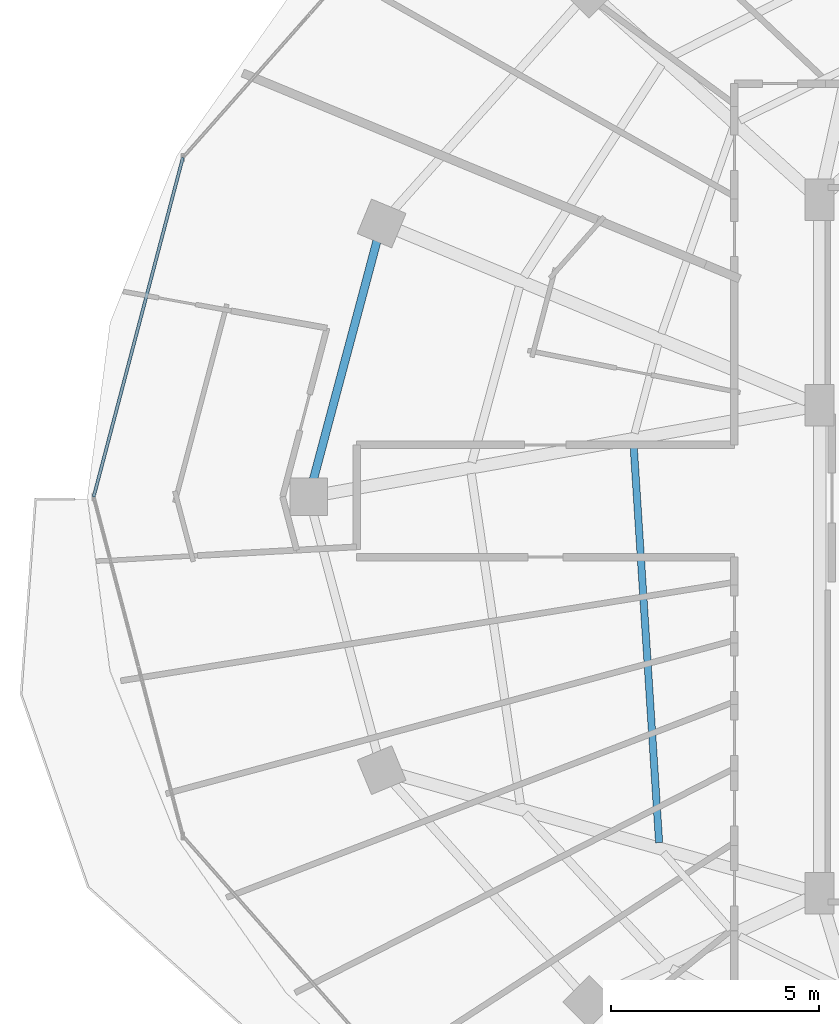
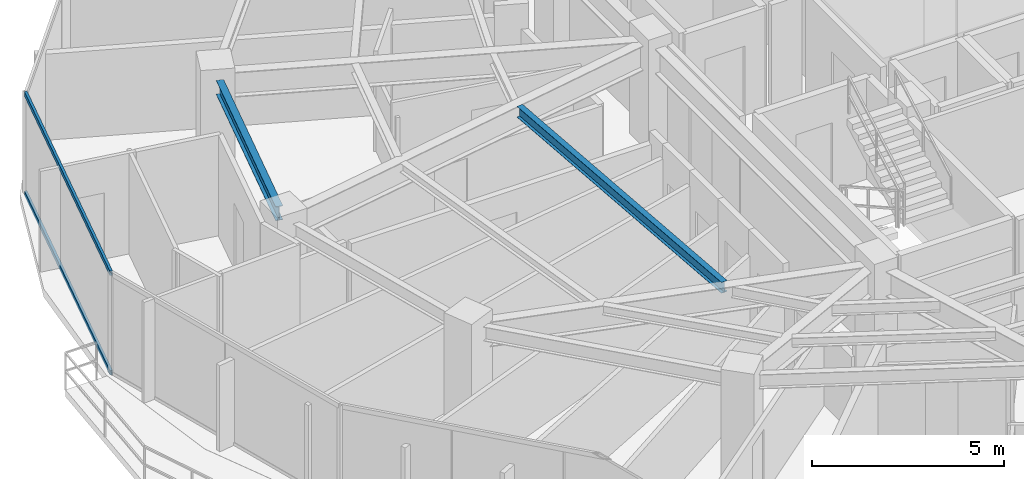
# One storey, part 8 of 33: 2 beams, 2 members, 1 element without a shape of its own.
"""IFC4 building model written with IfcOpenShell, lengths in metres."""

from ifc_helpers import new_model, si_unit, direction, frame, origin, origin_2d, place, context, subcontext, project, spatial, hollow_rectangle, i_section, extrude, material, material_profile, profile_set, type_object, element, aggregate, save


model = new_model("IFC4")

# Units and contexts
model_context = context("Model", 3, precision=1e-05, world=origin(), true_north=direction((0.0, 1.0)))
body_context = subcontext(model_context, "Body", "Model", "MODEL_VIEW")
ifc_project = project(units=[si_unit("LENGTHUNIT", "METRE"), si_unit("AREAUNIT", "SQUARE_METRE"), si_unit("VOLUMEUNIT", "CUBIC_METRE"), si_unit("PLANEANGLEUNIT", "RADIAN"), si_unit("MASSUNIT", "GRAM", prefix="KILO")], contexts=[model_context])

# Site, building, storey
site_placement = place(None, origin())
site = spatial("IfcSite", under=ifc_project, at=site_placement, CompositionType="ELEMENT")
building_placement = place(site_placement, origin())
building = spatial("IfcBuilding", under=site, at=building_placement, Name="Vorneva Point Tower", CompositionType="ELEMENT")
storey_placement = place(building_placement, frame((0.0, 0.0, 221.39990234375)))
storey = spatial("IfcBuildingStorey", under=building, at=storey_placement, Name="L60", CompositionType="ELEMENT", Elevation=221.39990234375)

# Beams
ifc_material_1 = material(Name="Steel S355", Category="steel")
ifc_material_profile_1 = material_profile(ifc_material_1, i_section(OverallWidth=0.174072265625, OverallDepth=0.345947265625, WebThickness=0.006103515625, FlangeThickness=0.009033203125, at=origin_2d()), Name="35B1")
ifc_profile_set_1 = profile_set([ifc_material_profile_1], Name="Steel S355")
beam_type_1 = type_object("IfcBeamType", Name="BM-SEC-35B1", PredefinedType="BEAM", material=ifc_profile_set_1)
beam_1_placement = place(storey_placement, frame((22.77197265625, 27.259765625, 3.027099609375), z_axis=(0.064039403471, -0.997947370758, 0.0), x_axis=(0.997947370758, 0.064039403471, 0.0)))
element("IfcBeam", 1, at=beam_1_placement, inside=storey, type_object=beam_type_1, Name="L60 Secondary Floor Beam 2.09", PredefinedType="BEAM", context=body_context, shape_type="SweptSolid", body=[
    extrude(i_section(OverallWidth=0.174072265625, OverallDepth=0.345947265625, WebThickness=0.006103515625, FlangeThickness=0.009033203125, at=origin_2d()), origin(), (0.0, 0.0, 1.0), 9.607177734375),
])
ifc_material_profile_2 = material_profile(ifc_material_1, i_section(OverallWidth=0.198974609375, OverallDepth=0.446044921875, WebThickness=0.008056640625, FlangeThickness=0.011962890625, at=origin_2d()), Name="45B1")
ifc_profile_set_2 = profile_set([ifc_material_profile_2], Name="Steel S355")
beam_type_2 = type_object("IfcBeamType", Name="BM-SPN-45B1", PredefinedType="SPANDREL", material=ifc_profile_set_2)
beam_2_placement = place(storey_placement, frame((16.592529296875, 32.161865234375, 2.97705078125), z_axis=(-0.257578258003, -0.966257440336, 0.0), x_axis=(0.966257440336, -0.257578258003, 0.0)))
element("IfcBeam", 2, at=beam_2_placement, inside=storey, type_object=beam_type_2, Name="L60 Perimeter Spandrel Ring Beam 08", PredefinedType="SPANDREL", context=body_context, shape_type="SweptSolid", body=[
    extrude(i_section(OverallWidth=0.198974609375, OverallDepth=0.446044921875, WebThickness=0.008056640625, FlangeThickness=0.011962890625, at=origin_2d()), origin(), (0.0, 0.0, 1.0), 5.94189453125),
])

# Curtain wall, members
ifc_material_2 = material(Name="Pale anodised aluminium", Category="aluminium")
curtain_wall_type = type_object("IfcCurtainWallType", Name="CW-RES-SYS", PredefinedType="NOTDEFINED", material=ifc_material_2)
curtain_wall_placement = place(storey_placement, origin())
curtain_wall = element("IfcCurtainWall", 3, at=curtain_wall_placement, inside=storey, type_object=curtain_wall_type, Name="L60 Unitised Curtain Wall CW-L60-R02", PredefinedType="NOTDEFINED")
ifc_material_profile_3 = material_profile(ifc_material_2, hollow_rectangle(XDim=0.074951171875, YDim=0.14990234375, WallThickness=0.00390625, at=origin_2d()), Name="AL-TRN 150x75x4")
ifc_profile_set_3 = profile_set([ifc_material_profile_3], Name="Pale anodised aluminium")
member_type = type_object("IfcMemberType", Name="CW-TRN-150", PredefinedType="USERDEFINED", material=ifc_profile_set_3)
member_1_placement = place(storey_placement, frame((11.9189453125, 34.17041015625, 0.02001953125), z_axis=(-0.254362431281, -0.967108966742, 0.0), x_axis=(0.967108966742, -0.254362431281, 0.0)))
member_1 = element("IfcMember", 4, at=member_1_placement, type_object=member_type, Name="CW-L60-R02 Transom 02.1", ObjectType="TRANSOM", PredefinedType="USERDEFINED", context=body_context, shape_type="SweptSolid", body=[
    extrude(hollow_rectangle(XDim=0.074951171875, YDim=0.14990234375, WallThickness=0.00390625, at=origin_2d()), origin(), (0.0, 0.0, 1.0), 8.4482421875),
])
member_2_placement = place(storey_placement, frame((11.9189453125, 34.17041015625, 3.18017578125), z_axis=(-0.254362431281, -0.967108966742, 0.0), x_axis=(0.967108966742, -0.254362431281, 0.0)))
member_2 = element("IfcMember", 5, at=member_2_placement, type_object=member_type, Name="CW-L60-R02 Transom 02.2", ObjectType="TRANSOM", PredefinedType="USERDEFINED", context=body_context, shape_type="SweptSolid", body=[
    extrude(hollow_rectangle(XDim=0.074951171875, YDim=0.14990234375, WallThickness=0.00390625, at=origin_2d()), origin(), (0.0, 0.0, 1.0), 8.4482421875),
])
aggregate(curtain_wall, [member_1, member_2])

save(model, "model.ifc")
